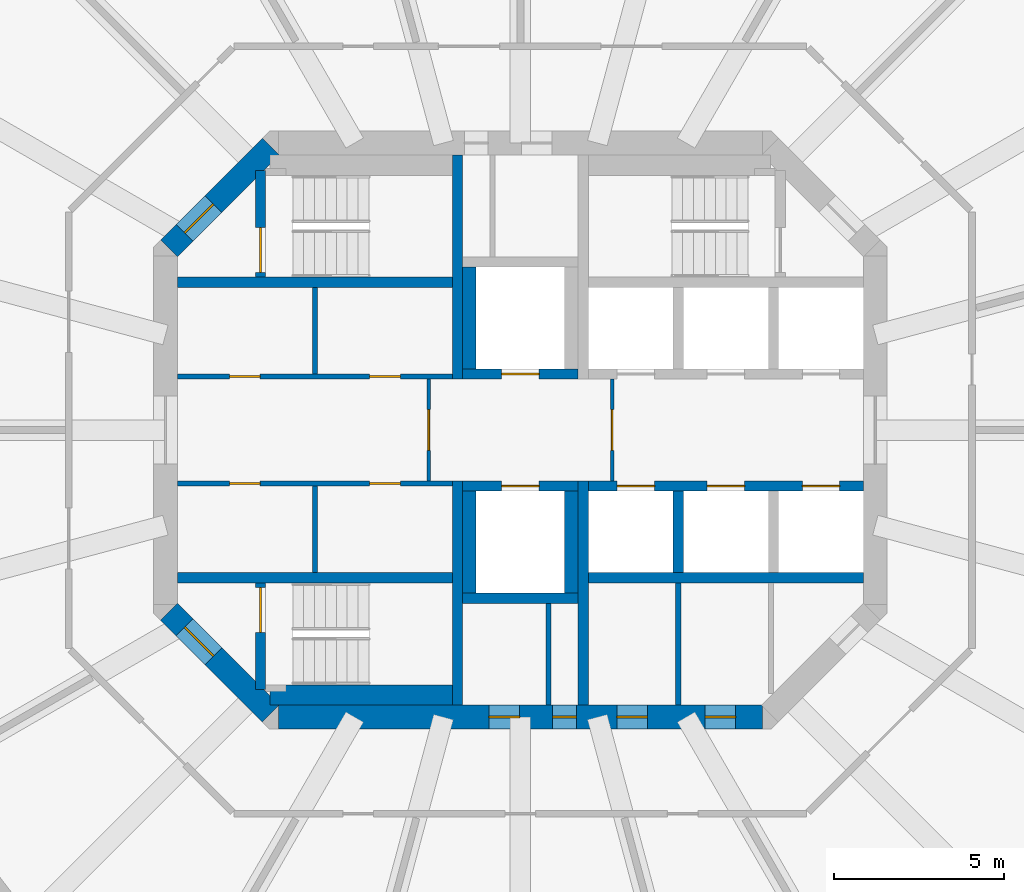
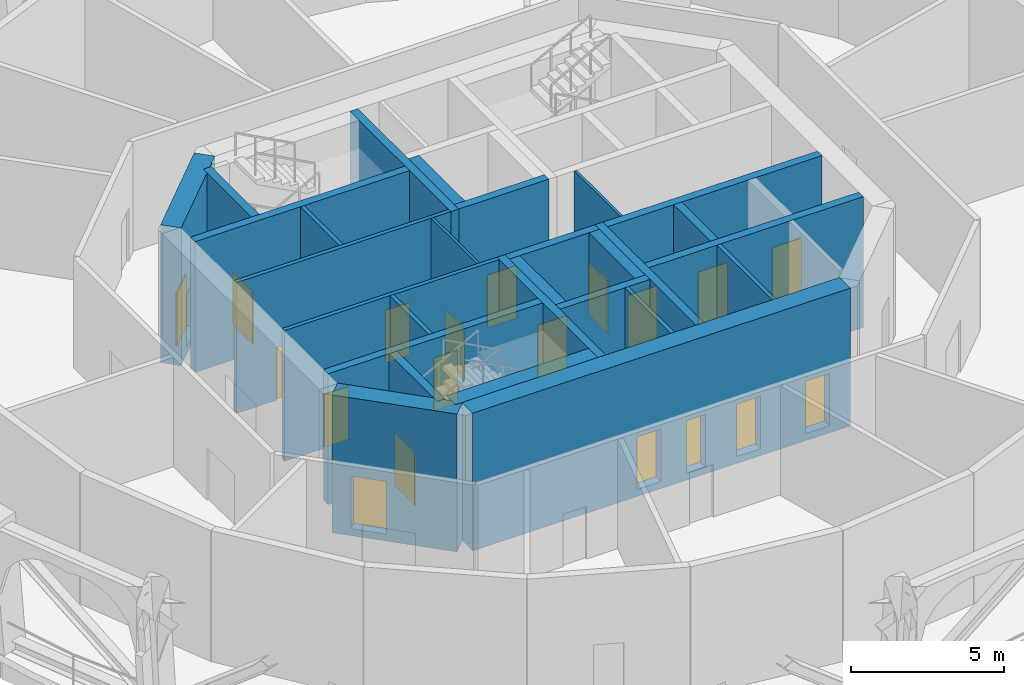
# One storey, part 4 of 9: 28 walls, 19 doors, 19 openings.
"""IFC4 building model written with IfcOpenShell, lengths in metres."""

from ifc_helpers import new_model, si_unit, direction, frame, frame_2d, origin, place, context, subcontext, project, spatial, rectangle, extrude, material, layer, layer_set, type_object, element, fill, save


model = new_model("IFC4")

# Units and contexts
model_context = context("Model", 3, precision=1e-05, world=origin(), true_north=direction((0.0, 1.0)))
body_context = subcontext(model_context, "Body", "Model", "MODEL_VIEW")
ifc_project = project(units=[si_unit("LENGTHUNIT", "METRE"), si_unit("AREAUNIT", "SQUARE_METRE"), si_unit("VOLUMEUNIT", "CUBIC_METRE"), si_unit("PLANEANGLEUNIT", "RADIAN"), si_unit("MASSUNIT", "GRAM", prefix="KILO")], contexts=[model_context])

# Site, building, storey
site_placement = place(None, origin())
site = spatial("IfcSite", under=ifc_project, at=site_placement, CompositionType="ELEMENT")
building_placement = place(site_placement, origin())
building = spatial("IfcBuilding", under=site, at=building_placement, Name="Torre Triforio", CompositionType="ELEMENT")
storey_placement = place(building_placement, frame((0.0, 0.0, 248.300048828125)))
storey = spatial("IfcBuildingStorey", under=building, at=storey_placement, Name="L57", CompositionType="ELEMENT", Elevation=248.300048828125)

# Walls
ifc_material_1 = material(Name="Concrete C50", Category="concrete")
ifc_layer_1 = layer(ifc_material_1, 0.300048828125)
ifc_layer_set_1 = layer_set([ifc_layer_1], Name="Concrete C50")
wall_type_1 = type_object("IfcWallType", Name="Core wall 300 mm C50 EI 120", PredefinedType="SHEAR", material=ifc_layer_set_1)
for number, where, z_axis, x_axis, name in (
    (1, (-1.85009765625, 1.5, 0.0), (0.0, 0.0, 1.0), (0.0, 1.0, 0.0), "Core wall"),
    (2, (-1.85009765625, -8.10009765625, 0.0), (0.0, 0.0, 1.0), (0.0, 1.0, 0.0), "Core wall"),
    (3, (1.85009765625, -8.10009765625, 0.0), (0.0, 0.0, 1.0), (0.0, 1.0, 0.0), "Core wall"),
):
    element("IfcWall", number, at=place(storey_placement, frame(where, z_axis=z_axis, x_axis=x_axis)), inside=storey, type_object=wall_type_1, Name=name, PredefinedType="SHEAR", context=body_context, shape_type="SweptSolid", body=[
        extrude(rectangle(XDim=6.60009765625, YDim=0.300048828125, at=frame_2d((3.300048828125, 0.0))), origin(), (0.0, 0.0, 1.0), 5.219970703125),
    ])

# Wall, openings, doors
ifc_layer_2 = layer(ifc_material_1, 0.699951171875)
ifc_layer_set_2 = layer_set([ifc_layer_2], Name="Concrete C50")
wall_type_2 = type_object("IfcWallType", Name="Core wall 700 mm C50 EI 120", PredefinedType="SHEAR", material=ifc_layer_set_2)
wall_1_placement = place(storey_placement, frame((-7.1298828125, -8.449951171875, -0.280029296875), z_axis=(0.0, 0.0, 1.0), x_axis=(1.0, 0.0, 0.0)))
wall_1 = element("IfcWall", 4, at=wall_1_placement, inside=storey, type_object=wall_type_2, Name="Core wall", PredefinedType="SHEAR", context=body_context, shape_type="SweptSolid", body=[
    extrude(rectangle(XDim=14.259765625, YDim=0.699951171875, at=frame_2d((7.1298828125, 0.0))), origin(), (0.0, 0.0, 1.0), 5.5),
])
opening_1_placement = place(wall_1_placement, frame((8.080078125, 0.0, 0.280029296875)))
opening_1 = element("IfcOpeningElement", 5, at=opening_1_placement, cuts=wall_1, Name="Opening RISER-S", PredefinedType="OPENING", context=body_context, shape_type="SweptSolid", body=[
    extrude(rectangle(XDim=0.699951171875, YDim=2.10009765625, at=frame_2d((0.35009765625, 1.050048828125))), frame((0.0, 0.35986328125, 0.0), z_axis=(0.0, -1.0, 0.0), x_axis=(1.0, 0.0, 0.0)), (0.0, 0.0, 1.0), 0.719970703125),
])
opening_2_placement = place(wall_1_placement, frame((6.205078125, 0.0, 0.280029296875)))
opening_2 = element("IfcOpeningElement", 6, at=opening_2_placement, cuts=wall_1, Name="Opening SW-01", PredefinedType="OPENING", context=body_context, shape_type="SweptSolid", body=[
    extrude(rectangle(XDim=0.89990234375, YDim=2.10009765625, at=frame_2d((0.449951171875, 1.050048828125))), frame((0.0, 0.35986328125, 0.0), z_axis=(0.0, -1.0, 0.0), x_axis=(1.0, 0.0, 0.0)), (0.0, 0.0, 1.0), 0.719970703125),
])
opening_3_placement = place(wall_1_placement, frame((9.967041015625, 0.0, 0.280029296875)))
opening_3 = element("IfcOpeningElement", 7, at=opening_3_placement, cuts=wall_1, Name="Opening SE-01", PredefinedType="OPENING", context=body_context, shape_type="SweptSolid", body=[
    extrude(rectangle(XDim=0.89990234375, YDim=2.10009765625, at=frame_2d((0.449951171875, 1.050048828125))), frame((0.0, 0.35986328125, 0.0), z_axis=(0.0, -1.0, 0.0), x_axis=(1.0, 0.0, 0.0)), (0.0, 0.0, 1.0), 0.719970703125),
])
opening_4_placement = place(wall_1_placement, frame((12.56689453125, 0.0, 0.280029296875)))
opening_4 = element("IfcOpeningElement", 8, at=opening_4_placement, cuts=wall_1, Name="Opening SE-02A", PredefinedType="OPENING", context=body_context, shape_type="SweptSolid", body=[
    extrude(rectangle(XDim=0.89990234375, YDim=2.10009765625, at=frame_2d((0.449951171875, 1.050048828125))), frame((0.0, 0.35986328125, 0.0), z_axis=(0.0, -1.0, 0.0), x_axis=(1.0, 0.0, 0.0)), (0.0, 0.0, 1.0), 0.719970703125),
])
ifc_material_2 = material(Name="Hollow metal fire door leaf")
door_type_1 = type_object("IfcDoorType", Name="Plant room door 900 x 2100 EI 60", OperationType="NOTDEFINED", PredefinedType="DOOR", material=ifc_material_2)
door_1_placement = place(opening_2_placement, origin())
door_1 = element("IfcDoor", 9, at=door_1_placement, inside=storey, type_object=door_type_1, Name="Core door SW-01", OperationType="SINGLE_SWING_LEFT", OverallHeight=2.10009765625, OverallWidth=0.89990234375, PredefinedType="DOOR", context=body_context, shape_type="SweptSolid", body=[
    extrude(rectangle(XDim=0.89990234375, YDim=2.10009765625, at=frame_2d((0.449951171875, 1.050048828125))), frame((0.0, 0.02490234375, 0.0), z_axis=(0.0, -1.0, 0.0), x_axis=(1.0, 0.0, 0.0)), (0.0, 0.0, 1.0), 0.050048828125),
])
fill(opening_2, door_1)
door_2_placement = place(opening_3_placement, origin())
door_2 = element("IfcDoor", 10, at=door_2_placement, inside=storey, type_object=door_type_1, Name="Core door SE-01", OperationType="SINGLE_SWING_LEFT", OverallHeight=2.10009765625, OverallWidth=0.89990234375, PredefinedType="DOOR", context=body_context, shape_type="SweptSolid", body=[
    extrude(rectangle(XDim=0.89990234375, YDim=2.10009765625, at=frame_2d((0.449951171875, 1.050048828125))), frame((0.0, 0.02490234375, 0.0), z_axis=(0.0, -1.0, 0.0), x_axis=(1.0, 0.0, 0.0)), (0.0, 0.0, 1.0), 0.050048828125),
])
fill(opening_3, door_2)
door_3_placement = place(opening_4_placement, origin())
door_3 = element("IfcDoor", 11, at=door_3_placement, inside=storey, type_object=door_type_1, Name="Core door SE-02", OperationType="SINGLE_SWING_LEFT", OverallHeight=2.10009765625, OverallWidth=0.89990234375, PredefinedType="DOOR", context=body_context, shape_type="SweptSolid", body=[
    extrude(rectangle(XDim=0.89990234375, YDim=2.10009765625, at=frame_2d((0.449951171875, 1.050048828125))), frame((0.0, 0.02490234375, 0.0), z_axis=(0.0, -1.0, 0.0), x_axis=(1.0, 0.0, 0.0)), (0.0, 0.0, 1.0), 0.050048828125),
])
fill(opening_4, door_3)
door_type_2 = type_object("IfcDoorType", Name="Riser door 700 x 2100 EI 60", OperationType="NOTDEFINED", PredefinedType="DOOR", material=ifc_material_2)
door_4_placement = place(opening_1_placement, origin())
door_4 = element("IfcDoor", 12, at=door_4_placement, inside=storey, type_object=door_type_2, Name="Core door RISER-S", OperationType="SINGLE_SWING_RIGHT", OverallHeight=2.10009765625, OverallWidth=0.699951171875, PredefinedType="DOOR", context=body_context, shape_type="SweptSolid", body=[
    extrude(rectangle(XDim=0.699951171875, YDim=2.10009765625, at=frame_2d((0.35009765625, 1.050048828125))), frame((0.0, 0.02490234375, 0.0), z_axis=(0.0, -1.0, 0.0), x_axis=(1.0, 0.0, 0.0)), (0.0, 0.0, 1.0), 0.050048828125),
])
fill(opening_1, door_4)

# Wall, opening, door
wall_2_placement = place(storey_placement, frame((-10.347412109375, 5.347412109375, -0.280029296875), z_axis=(0.0, 0.0, 1.0), x_axis=(0.707106781187, 0.707106781187, 0.0)))
wall_2 = element("IfcWall", 13, at=wall_2_placement, inside=storey, type_object=wall_type_2, Name="Core wall", PredefinedType="SHEAR", context=body_context, shape_type="SweptSolid", body=[
    extrude(rectangle(XDim=4.24267578125, YDim=0.699951171875, at=frame_2d((2.121337890625, 0.0))), origin(), (0.0, 0.0, 1.0), 5.5),
])
opening_5_placement = place(wall_2_placement, frame((0.64990234375, 0.0, 0.280029296875)))
opening_5 = element("IfcOpeningElement", 14, at=opening_5_placement, cuts=wall_2, Name="Opening ST1-EXIT", PredefinedType="OPENING", context=body_context, shape_type="SweptSolid", body=[
    extrude(rectangle(XDim=1.199951171875, YDim=2.10009765625, at=frame_2d((0.60009765625, 1.050048828125))), frame((0.0, 0.35986328125, 0.0), z_axis=(0.0, -1.0, 0.0), x_axis=(1.0, 0.0, 0.0)), (0.0, 0.0, 1.0), 0.719970703125),
])
door_type_3 = type_object("IfcDoorType", Name="Stair lobby door 1200 x 2100 EI 60", OperationType="NOTDEFINED", PredefinedType="DOOR", material=ifc_material_2)
door_5_placement = place(opening_5_placement, origin())
door_5 = element("IfcDoor", 15, at=door_5_placement, inside=storey, type_object=door_type_3, Name="Core door ST1-EXIT", OperationType="SINGLE_SWING_RIGHT", OverallHeight=2.10009765625, OverallWidth=1.199951171875, PredefinedType="DOOR", context=body_context, shape_type="SweptSolid", body=[
    extrude(rectangle(XDim=1.199951171875, YDim=2.10009765625, at=frame_2d((0.60009765625, 1.050048828125))), frame((0.0, 0.02490234375, 0.0), z_axis=(0.0, -1.0, 0.0), x_axis=(1.0, 0.0, 0.0)), (0.0, 0.0, 1.0), 0.050048828125),
])
fill(opening_5, door_5)

wall_3_placement = place(storey_placement, frame((-7.347412109375, -8.347412109375, -0.280029296875), z_axis=(0.0, 0.0, 1.0), x_axis=(-0.707106781187, 0.707106781187, 0.0)))
wall_3 = element("IfcWall", 16, at=wall_3_placement, inside=storey, type_object=wall_type_2, Name="Core wall", PredefinedType="SHEAR", context=body_context, shape_type="SweptSolid", body=[
    extrude(rectangle(XDim=4.24267578125, YDim=0.699951171875, at=frame_2d((2.121337890625, 0.0))), origin(), (0.0, 0.0, 1.0), 5.5),
])
opening_6_placement = place(wall_3_placement, frame((2.392578125, 0.0, 0.280029296875)))
opening_6 = element("IfcOpeningElement", 17, at=opening_6_placement, cuts=wall_3, Name="Opening ST3-EXIT", PredefinedType="OPENING", context=body_context, shape_type="SweptSolid", body=[
    extrude(rectangle(XDim=1.199951171875, YDim=2.10009765625, at=frame_2d((0.60009765625, 1.050048828125))), frame((0.0, 0.35986328125, 0.0), z_axis=(0.0, -1.0, 0.0), x_axis=(1.0, 0.0, 0.0)), (0.0, 0.0, 1.0), 0.719970703125),
])
door_6_placement = place(opening_6_placement, origin())
door_6 = element("IfcDoor", 18, at=door_6_placement, inside=storey, type_object=door_type_3, Name="Core door ST3-EXIT", OperationType="SINGLE_SWING_RIGHT", OverallHeight=2.10009765625, OverallWidth=1.199951171875, PredefinedType="DOOR", context=body_context, shape_type="SweptSolid", body=[
    extrude(rectangle(XDim=1.199951171875, YDim=2.10009765625, at=frame_2d((0.60009765625, 1.050048828125))), frame((0.0, 0.02490234375, 0.0), z_axis=(0.0, -1.0, 0.0), x_axis=(1.0, 0.0, 0.0)), (0.0, 0.0, 1.0), 0.050048828125),
])
fill(opening_6, door_6)

ifc_material_3 = material(Name="Block and board partition")
ifc_layer_3 = layer(ifc_material_3, 0.10009765625)
ifc_layer_set_3 = layer_set([ifc_layer_3], Name="Block and board partition")
wall_type_3 = type_object("IfcWallType", Name="Partition 100 mm EI 120", PredefinedType="PARTITIONING", material=ifc_layer_set_3)
wall_4_placement = place(storey_placement, frame((-2.699951171875, -1.5, 0.0), z_axis=(0.0, 0.0, 1.0), x_axis=(0.0, 1.0, 0.0)))
wall_4 = element("IfcWall", 19, at=wall_4_placement, inside=storey, type_object=wall_type_3, Name="Partition", PredefinedType="PARTITIONING", context=body_context, shape_type="SweptSolid", body=[
    extrude(rectangle(XDim=3.0, YDim=0.10009765625, at=frame_2d((1.5, 0.0))), origin(), (0.0, 0.0, 1.0), 5.219970703125),
])
opening_7_placement = place(wall_4_placement, frame((0.89990234375, 0.0, 0.0)))
opening_7 = element("IfcOpeningElement", 20, at=opening_7_placement, cuts=wall_4, Name="Opening FF-W", PredefinedType="OPENING", context=body_context, shape_type="SweptSolid", body=[
    extrude(rectangle(XDim=1.199951171875, YDim=2.10009765625, at=frame_2d((0.60009765625, 1.050048828125))), frame((0.0, 0.06005859375, 0.0), z_axis=(0.0, -1.0, 0.0), x_axis=(1.0, 0.0, 0.0)), (0.0, 0.0, 1.0), 0.1201171875),
])
door_type_4 = type_object("IfcDoorType", Name="Fire-fighting lobby door 1200 x 2100 EI 60", OperationType="NOTDEFINED", PredefinedType="DOOR", material=ifc_material_2)
door_7_placement = place(opening_7_placement, origin())
door_7 = element("IfcDoor", 21, at=door_7_placement, inside=storey, type_object=door_type_4, Name="Core door FF-W", OperationType="SINGLE_SWING_LEFT", OverallHeight=2.10009765625, OverallWidth=1.199951171875, PredefinedType="DOOR", context=body_context, shape_type="SweptSolid", body=[
    extrude(rectangle(XDim=1.199951171875, YDim=2.10009765625, at=frame_2d((0.60009765625, 1.050048828125))), frame((0.0, 0.02490234375, 0.0), z_axis=(0.0, -1.0, 0.0), x_axis=(1.0, 0.0, 0.0)), (0.0, 0.0, 1.0), 0.050048828125),
])
fill(opening_7, door_7)

wall_5_placement = place(storey_placement, frame((2.699951171875, -1.5, 0.0), z_axis=(0.0, 0.0, 1.0), x_axis=(0.0, 1.0, 0.0)))
wall_5 = element("IfcWall", 22, at=wall_5_placement, inside=storey, type_object=wall_type_3, Name="Partition", PredefinedType="PARTITIONING", context=body_context, shape_type="SweptSolid", body=[
    extrude(rectangle(XDim=3.0, YDim=0.10009765625, at=frame_2d((1.5, 0.0))), origin(), (0.0, 0.0, 1.0), 5.219970703125),
])
opening_8_placement = place(wall_5_placement, frame((0.89990234375, 0.0, 0.0)))
opening_8 = element("IfcOpeningElement", 23, at=opening_8_placement, cuts=wall_5, Name="Opening FF-E", PredefinedType="OPENING", context=body_context, shape_type="SweptSolid", body=[
    extrude(rectangle(XDim=1.199951171875, YDim=2.10009765625, at=frame_2d((0.60009765625, 1.050048828125))), frame((0.0, 0.06005859375, 0.0), z_axis=(0.0, -1.0, 0.0), x_axis=(1.0, 0.0, 0.0)), (0.0, 0.0, 1.0), 0.1201171875),
])
door_8_placement = place(opening_8_placement, origin())
door_8 = element("IfcDoor", 24, at=door_8_placement, inside=storey, type_object=door_type_4, Name="Core door FF-E", OperationType="SINGLE_SWING_LEFT", OverallHeight=2.10009765625, OverallWidth=1.199951171875, PredefinedType="DOOR", context=body_context, shape_type="SweptSolid", body=[
    extrude(rectangle(XDim=1.199951171875, YDim=2.10009765625, at=frame_2d((0.60009765625, 1.050048828125))), frame((0.0, 0.02490234375, 0.0), z_axis=(0.0, -1.0, 0.0), x_axis=(1.0, 0.0, 0.0)), (0.0, 0.0, 1.0), 0.050048828125),
])
fill(opening_8, door_8)

# Walls
ifc_layer_4 = layer(ifc_material_3, 0.14990234375)
ifc_layer_set_4 = layer_set([ifc_layer_4], Name="Block and board partition")
wall_type_4 = type_object("IfcWallType", Name="Partition 150 mm", PredefinedType="PARTITIONING", material=ifc_layer_set_4)
wall_6_placement = place(storey_placement, frame((4.64892578125, -8.10009765625, 0.0), z_axis=(0.0, 0.0, 1.0), x_axis=(0.0, 1.0, 0.0)))
element("IfcWall", 25, at=wall_6_placement, inside=storey, type_object=wall_type_4, Name="Partition", PredefinedType="PARTITIONING", context=body_context, shape_type="SweptSolid", body=[
    extrude(rectangle(XDim=3.60009765625, YDim=0.14990234375, at=frame_2d((1.800048828125, 0.0))), origin(), (0.0, 0.0, 1.0), 5.219970703125),
])
for number, where, z_axis, x_axis, name in (
    (26, (-6.050048828125, 1.64990234375, 0.0), (0.0, 0.0, 1.0), (0.0, 1.0, 0.0), "Partition"),
    (27, (-6.050048828125, -4.199951171875, 0.0), (0.0, 0.0, 1.0), (0.0, 1.0, 0.0), "Partition"),
):
    element("IfcWall", number, at=place(storey_placement, frame(where, z_axis=z_axis, x_axis=x_axis)), inside=storey, type_object=wall_type_4, Name=name, PredefinedType="PARTITIONING", context=body_context, shape_type="SweptSolid", body=[
        extrude(rectangle(XDim=2.550048828125, YDim=0.14990234375, at=frame_2d((1.27490234375, 0.0))), origin(), (0.0, 0.0, 1.0), 5.219970703125),
    ])
ifc_layer_5 = layer(ifc_material_3, 0.14990234375)
ifc_layer_set_5 = layer_set([ifc_layer_5], Name="Block and board partition")
wall_type_5 = type_object("IfcWallType", Name="Partition 150 mm EI 120", PredefinedType="PARTITIONING", material=ifc_layer_set_5)
wall_7_placement = place(storey_placement, frame((0.824951171875, -8.10009765625, 0.0), z_axis=(0.0, 0.0, 1.0), x_axis=(0.0, 1.0, 0.0)))
element("IfcWall", 28, at=wall_7_placement, inside=storey, type_object=wall_type_5, Name="Partition", PredefinedType="PARTITIONING", context=body_context, shape_type="SweptSolid", body=[
    extrude(rectangle(XDim=3.0, YDim=0.14990234375, at=frame_2d((1.5, 0.0))), origin(), (0.0, 0.0, 1.0), 5.219970703125),
])

# Wall, openings, doors
wall_8_placement = place(storey_placement, frame((-10.10009765625, 1.574951171875, 0.0), z_axis=(0.0, 0.0, 1.0), x_axis=(1.0, 0.0, 0.0)))
wall_8 = element("IfcWall", 29, at=wall_8_placement, inside=storey, type_object=wall_type_5, Name="Partition", PredefinedType="PARTITIONING", context=body_context, shape_type="SweptSolid", body=[
    extrude(rectangle(XDim=8.10009765625, YDim=0.14990234375, at=frame_2d((4.050048828125, 0.0))), origin(), (0.0, 0.0, 1.0), 5.219970703125),
])
opening_9_placement = place(wall_8_placement, frame((1.53759765625, 0.0, 0.0)))
opening_9 = element("IfcOpeningElement", 30, at=opening_9_placement, cuts=wall_8, Name="Opening FN-01A", PredefinedType="OPENING", context=body_context, shape_type="SweptSolid", body=[
    extrude(rectangle(XDim=0.89990234375, YDim=2.10009765625, at=frame_2d((0.449951171875, 1.050048828125))), frame((0.0, 0.0849609375, 0.0), z_axis=(0.0, -1.0, 0.0), x_axis=(1.0, 0.0, 0.0)), (0.0, 0.0, 1.0), 0.169921875),
])
opening_10_placement = place(wall_8_placement, frame((5.66259765625, 0.0, 0.0)))
opening_10 = element("IfcOpeningElement", 31, at=opening_10_placement, cuts=wall_8, Name="Opening FN-02A", PredefinedType="OPENING", context=body_context, shape_type="SweptSolid", body=[
    extrude(rectangle(XDim=0.89990234375, YDim=2.10009765625, at=frame_2d((0.449951171875, 1.050048828125))), frame((0.0, 0.0849609375, 0.0), z_axis=(0.0, -1.0, 0.0), x_axis=(1.0, 0.0, 0.0)), (0.0, 0.0, 1.0), 0.169921875),
])
door_9_placement = place(opening_9_placement, origin())
door_9 = element("IfcDoor", 32, at=door_9_placement, inside=storey, type_object=door_type_1, Name="Core door FN-01", OperationType="SINGLE_SWING_RIGHT", OverallHeight=2.10009765625, OverallWidth=0.89990234375, PredefinedType="DOOR", context=body_context, shape_type="SweptSolid", body=[
    extrude(rectangle(XDim=0.89990234375, YDim=2.10009765625, at=frame_2d((0.449951171875, 1.050048828125))), frame((0.0, 0.02490234375, 0.0), z_axis=(0.0, -1.0, 0.0), x_axis=(1.0, 0.0, 0.0)), (0.0, 0.0, 1.0), 0.050048828125),
])
fill(opening_9, door_9)
door_10_placement = place(opening_10_placement, origin())
door_10 = element("IfcDoor", 33, at=door_10_placement, inside=storey, type_object=door_type_1, Name="Core door FN-02", OperationType="SINGLE_SWING_RIGHT", OverallHeight=2.10009765625, OverallWidth=0.89990234375, PredefinedType="DOOR", context=body_context, shape_type="SweptSolid", body=[
    extrude(rectangle(XDim=0.89990234375, YDim=2.10009765625, at=frame_2d((0.449951171875, 1.050048828125))), frame((0.0, 0.02490234375, 0.0), z_axis=(0.0, -1.0, 0.0), x_axis=(1.0, 0.0, 0.0)), (0.0, 0.0, 1.0), 0.050048828125),
])
fill(opening_10, door_10)

wall_9_placement = place(storey_placement, frame((-10.10009765625, -1.574951171875, 0.0), z_axis=(0.0, 0.0, 1.0), x_axis=(1.0, 0.0, 0.0)))
wall_9 = element("IfcWall", 34, at=wall_9_placement, inside=storey, type_object=wall_type_5, Name="Partition", PredefinedType="PARTITIONING", context=body_context, shape_type="SweptSolid", body=[
    extrude(rectangle(XDim=8.10009765625, YDim=0.14990234375, at=frame_2d((4.050048828125, 0.0))), origin(), (0.0, 0.0, 1.0), 5.219970703125),
])
opening_11_placement = place(wall_9_placement, frame((1.53759765625, 0.0, 0.0)))
opening_11 = element("IfcOpeningElement", 35, at=opening_11_placement, cuts=wall_9, Name="Opening FS-01A", PredefinedType="OPENING", context=body_context, shape_type="SweptSolid", body=[
    extrude(rectangle(XDim=0.89990234375, YDim=2.10009765625, at=frame_2d((0.449951171875, 1.050048828125))), frame((0.0, 0.0849609375, 0.0), z_axis=(0.0, -1.0, 0.0), x_axis=(1.0, 0.0, 0.0)), (0.0, 0.0, 1.0), 0.169921875),
])
opening_12_placement = place(wall_9_placement, frame((5.66259765625, 0.0, 0.0)))
opening_12 = element("IfcOpeningElement", 36, at=opening_12_placement, cuts=wall_9, Name="Opening FS-02A", PredefinedType="OPENING", context=body_context, shape_type="SweptSolid", body=[
    extrude(rectangle(XDim=0.89990234375, YDim=2.10009765625, at=frame_2d((0.449951171875, 1.050048828125))), frame((0.0, 0.0849609375, 0.0), z_axis=(0.0, -1.0, 0.0), x_axis=(1.0, 0.0, 0.0)), (0.0, 0.0, 1.0), 0.169921875),
])
door_11_placement = place(opening_11_placement, origin())
door_11 = element("IfcDoor", 37, at=door_11_placement, inside=storey, type_object=door_type_1, Name="Core door FS-01", OperationType="SINGLE_SWING_LEFT", OverallHeight=2.10009765625, OverallWidth=0.89990234375, PredefinedType="DOOR", context=body_context, shape_type="SweptSolid", body=[
    extrude(rectangle(XDim=0.89990234375, YDim=2.10009765625, at=frame_2d((0.449951171875, 1.050048828125))), frame((0.0, 0.02490234375, 0.0), z_axis=(0.0, -1.0, 0.0), x_axis=(1.0, 0.0, 0.0)), (0.0, 0.0, 1.0), 0.050048828125),
])
fill(opening_11, door_11)
door_12_placement = place(opening_12_placement, origin())
door_12 = element("IfcDoor", 38, at=door_12_placement, inside=storey, type_object=door_type_1, Name="Core door FS-02", OperationType="SINGLE_SWING_LEFT", OverallHeight=2.10009765625, OverallWidth=0.89990234375, PredefinedType="DOOR", context=body_context, shape_type="SweptSolid", body=[
    extrude(rectangle(XDim=0.89990234375, YDim=2.10009765625, at=frame_2d((0.449951171875, 1.050048828125))), frame((0.0, 0.02490234375, 0.0), z_axis=(0.0, -1.0, 0.0), x_axis=(1.0, 0.0, 0.0)), (0.0, 0.0, 1.0), 0.050048828125),
])
fill(opening_12, door_12)

# Walls
ifc_layer_6 = layer(ifc_material_1, 0.300048828125)
ifc_layer_set_6 = layer_set([ifc_layer_6], Name="Concrete C50")
wall_type_6 = type_object("IfcWallType", Name="Shaft wall 300 mm C50 EI 120", PredefinedType="SOLIDWALL", material=ifc_layer_set_6)
for number, where, z_axis, x_axis, name in (
    (39, (-10.10009765625, 4.35009765625, 0.0), (0.0, 0.0, 1.0), (1.0, 0.0, 0.0), "Shaft wall"),
    (40, (-10.10009765625, -4.35009765625, 0.0), (0.0, 0.0, 1.0), (1.0, 0.0, 0.0), "Shaft wall"),
    (41, (2.0, -4.35009765625, 0.0), (0.0, 0.0, 1.0), (1.0, 0.0, 0.0), "Shaft wall"),
):
    element("IfcWall", number, at=place(storey_placement, frame(where, z_axis=z_axis, x_axis=x_axis)), inside=storey, type_object=wall_type_6, Name=name, PredefinedType="SOLIDWALL", context=body_context, shape_type="SweptSolid", body=[
        extrude(rectangle(XDim=8.10009765625, YDim=0.300048828125, at=frame_2d((4.050048828125, 0.0))), origin(), (0.0, 0.0, 1.0), 5.219970703125),
    ])

# Wall, openings, doors
wall_10_placement = place(storey_placement, frame((2.0, -1.64990234375, 0.0), z_axis=(0.0, 0.0, 1.0), x_axis=(1.0, 0.0, 0.0)))
wall_10 = element("IfcWall", 42, at=wall_10_placement, inside=storey, type_object=wall_type_6, Name="Shaft wall", PredefinedType="SOLIDWALL", context=body_context, shape_type="SweptSolid", body=[
    extrude(rectangle(XDim=8.10009765625, YDim=0.300048828125, at=frame_2d((4.050048828125, 0.0))), origin(), (0.0, 0.0, 1.0), 5.219970703125),
])
opening_13_placement = place(wall_10_placement, frame((0.85009765625, 0.0, 0.0)))
opening_13 = element("IfcOpeningElement", 43, at=opening_13_placement, cuts=wall_10, Name="Opening LD", PredefinedType="OPENING", context=body_context, shape_type="SweptSolid", body=[
    extrude(rectangle(XDim=1.10009765625, YDim=2.10009765625, at=frame_2d((0.550048828125, 1.050048828125))), frame((0.0, 0.159912109375, 0.0), z_axis=(0.0, -1.0, 0.0), x_axis=(1.0, 0.0, 0.0)), (0.0, 0.0, 1.0), 0.320068359375),
])
opening_14_placement = place(wall_10_placement, frame((3.5, 0.0, 0.0)))
opening_14 = element("IfcOpeningElement", 44, at=opening_14_placement, cuts=wall_10, Name="Opening LD", PredefinedType="OPENING", context=body_context, shape_type="SweptSolid", body=[
    extrude(rectangle(XDim=1.10009765625, YDim=2.10009765625, at=frame_2d((0.550048828125, 1.050048828125))), frame((0.0, 0.159912109375, 0.0), z_axis=(0.0, -1.0, 0.0), x_axis=(1.0, 0.0, 0.0)), (0.0, 0.0, 1.0), 0.320068359375),
])
opening_15_placement = place(wall_10_placement, frame((6.300048828125, 0.0, 0.0)))
opening_15 = element("IfcOpeningElement", 45, at=opening_15_placement, cuts=wall_10, Name="Opening LD", PredefinedType="OPENING", context=body_context, shape_type="SweptSolid", body=[
    extrude(rectangle(XDim=1.10009765625, YDim=2.10009765625, at=frame_2d((0.550048828125, 1.050048828125))), frame((0.0, 0.159912109375, 0.0), z_axis=(0.0, -1.0, 0.0), x_axis=(1.0, 0.0, 0.0)), (0.0, 0.0, 1.0), 0.320068359375),
])
door_type_5 = type_object("IfcDoorType", Name="Landing door 1100 x 2100 EI 60", OperationType="DOUBLE_DOOR_SLIDING", PredefinedType="DOOR", material=ifc_material_2)
door_13_placement = place(opening_13_placement, origin())
door_13 = element("IfcDoor", 46, at=door_13_placement, inside=storey, type_object=door_type_5, Name="Landing door HR4", OperationType="DOUBLE_DOOR_SLIDING", OverallHeight=2.10009765625, OverallWidth=1.10009765625, PredefinedType="DOOR", context=body_context, shape_type="SweptSolid", body=[
    extrude(rectangle(XDim=1.10009765625, YDim=2.10009765625, at=frame_2d((0.550048828125, 1.050048828125))), frame((0.0, 0.02490234375, 0.0), z_axis=(0.0, -1.0, 0.0), x_axis=(1.0, 0.0, 0.0)), (0.0, 0.0, 1.0), 0.050048828125),
])
fill(opening_13, door_13)
door_14_placement = place(opening_14_placement, origin())
door_14 = element("IfcDoor", 47, at=door_14_placement, inside=storey, type_object=door_type_5, Name="Landing door HR5", OperationType="DOUBLE_DOOR_SLIDING", OverallHeight=2.10009765625, OverallWidth=1.10009765625, PredefinedType="DOOR", context=body_context, shape_type="SweptSolid", body=[
    extrude(rectangle(XDim=1.10009765625, YDim=2.10009765625, at=frame_2d((0.550048828125, 1.050048828125))), frame((0.0, 0.02490234375, 0.0), z_axis=(0.0, -1.0, 0.0), x_axis=(1.0, 0.0, 0.0)), (0.0, 0.0, 1.0), 0.050048828125),
])
fill(opening_14, door_14)
door_15_placement = place(opening_15_placement, origin())
door_15 = element("IfcDoor", 48, at=door_15_placement, inside=storey, type_object=door_type_5, Name="Landing door HR6", OperationType="DOUBLE_DOOR_SLIDING", OverallHeight=2.10009765625, OverallWidth=1.10009765625, PredefinedType="DOOR", context=body_context, shape_type="SweptSolid", body=[
    extrude(rectangle(XDim=1.10009765625, YDim=2.10009765625, at=frame_2d((0.550048828125, 1.050048828125))), frame((0.0, 0.02490234375, 0.0), z_axis=(0.0, -1.0, 0.0), x_axis=(1.0, 0.0, 0.0)), (0.0, 0.0, 1.0), 0.050048828125),
])
fill(opening_15, door_15)

# Wall
wall_11_placement = place(storey_placement, frame((4.64990234375, -4.199951171875, 0.0), z_axis=(0.0, 0.0, 1.0), x_axis=(0.0, 1.0, 0.0)))
element("IfcWall", 49, at=wall_11_placement, inside=storey, type_object=wall_type_6, Name="Shaft wall", PredefinedType="SOLIDWALL", context=body_context, shape_type="SweptSolid", body=[
    extrude(rectangle(XDim=2.39990234375, YDim=0.300048828125, at=frame_2d((1.199951171875, 0.0))), origin(), (0.0, 0.0, 1.0), 5.219970703125),
])

# Wall, opening, door
wall_12_placement = place(storey_placement, frame((-1.699951171875, 1.64990234375, 0.0), z_axis=(0.0, 0.0, 1.0), x_axis=(1.0, 0.0, 0.0)))
wall_12 = element("IfcWall", 50, at=wall_12_placement, inside=storey, type_object=wall_type_6, Name="Shaft wall", PredefinedType="SOLIDWALL", context=body_context, shape_type="SweptSolid", body=[
    extrude(rectangle(XDim=3.39990234375, YDim=0.300048828125, at=frame_2d((1.699951171875, 0.0))), origin(), (0.0, 0.0, 1.0), 5.219970703125),
])
opening_16_placement = place(wall_12_placement, frame((1.14990234375, 0.0, 0.0)))
opening_16 = element("IfcOpeningElement", 51, at=opening_16_placement, cuts=wall_12, Name="Opening LD", PredefinedType="OPENING", context=body_context, shape_type="SweptSolid", body=[
    extrude(rectangle(XDim=1.10009765625, YDim=2.10009765625, at=frame_2d((0.550048828125, 1.050048828125))), frame((0.0, 0.159912109375, 0.0), z_axis=(0.0, -1.0, 0.0), x_axis=(1.0, 0.0, 0.0)), (0.0, 0.0, 1.0), 0.320068359375),
])
door_16_placement = place(opening_16_placement, origin())
door_16 = element("IfcDoor", 52, at=door_16_placement, inside=storey, type_object=door_type_5, Name="Landing door FFL1", OperationType="DOUBLE_DOOR_SLIDING", OverallHeight=2.10009765625, OverallWidth=1.10009765625, PredefinedType="DOOR", context=body_context, shape_type="SweptSolid", body=[
    extrude(rectangle(XDim=1.10009765625, YDim=2.10009765625, at=frame_2d((0.550048828125, 1.050048828125))), frame((0.0, 0.02490234375, 0.0), z_axis=(0.0, -1.0, 0.0), x_axis=(1.0, 0.0, 0.0)), (0.0, 0.0, 1.0), 0.050048828125),
])
fill(opening_16, door_16)

wall_13_placement = place(storey_placement, frame((-1.699951171875, -1.64990234375, 0.0), z_axis=(0.0, 0.0, 1.0), x_axis=(1.0, 0.0, 0.0)))
wall_13 = element("IfcWall", 53, at=wall_13_placement, inside=storey, type_object=wall_type_6, Name="Shaft wall", PredefinedType="SOLIDWALL", context=body_context, shape_type="SweptSolid", body=[
    extrude(rectangle(XDim=3.39990234375, YDim=0.300048828125, at=frame_2d((1.699951171875, 0.0))), origin(), (0.0, 0.0, 1.0), 5.219970703125),
])
opening_17_placement = place(wall_13_placement, frame((1.14990234375, 0.0, 0.0)))
opening_17 = element("IfcOpeningElement", 54, at=opening_17_placement, cuts=wall_13, Name="Opening LD", PredefinedType="OPENING", context=body_context, shape_type="SweptSolid", body=[
    extrude(rectangle(XDim=1.10009765625, YDim=2.10009765625, at=frame_2d((0.550048828125, 1.050048828125))), frame((0.0, 0.159912109375, 0.0), z_axis=(0.0, -1.0, 0.0), x_axis=(1.0, 0.0, 0.0)), (0.0, 0.0, 1.0), 0.320068359375),
])
door_17_placement = place(opening_17_placement, origin())
door_17 = element("IfcDoor", 55, at=door_17_placement, inside=storey, type_object=door_type_5, Name="Landing door FFL2", OperationType="DOUBLE_DOOR_SLIDING", OverallHeight=2.10009765625, OverallWidth=1.10009765625, PredefinedType="DOOR", context=body_context, shape_type="SweptSolid", body=[
    extrude(rectangle(XDim=1.10009765625, YDim=2.10009765625, at=frame_2d((0.550048828125, 1.050048828125))), frame((0.0, 0.02490234375, 0.0), z_axis=(0.0, -1.0, 0.0), x_axis=(1.0, 0.0, 0.0)), (0.0, 0.0, 1.0), 0.050048828125),
])
fill(opening_17, door_17)

# Walls
wall_14_placement = place(storey_placement, frame((-1.699951171875, -4.949951171875, 0.0), z_axis=(0.0, 0.0, 1.0), x_axis=(1.0, 0.0, 0.0)))
element("IfcWall", 56, at=wall_14_placement, inside=storey, type_object=wall_type_6, Name="Shaft wall", PredefinedType="SOLIDWALL", context=body_context, shape_type="SweptSolid", body=[
    extrude(rectangle(XDim=3.39990234375, YDim=0.300048828125, at=frame_2d((1.699951171875, 0.0))), origin(), (0.0, 0.0, 1.0), 5.219970703125),
])
ifc_layer_7 = layer(ifc_material_1, 0.39990234375)
ifc_layer_set_7 = layer_set([ifc_layer_7], Name="Concrete C50")
wall_type_7 = type_object("IfcWallType", Name="Shaft wall 400 mm C50 EI 120", PredefinedType="SOLIDWALL", material=ifc_layer_set_7)
for number, where, z_axis, x_axis, name in (
    (57, (-1.5, 1.800048828125, 0.0), (0.0, 0.0, 1.0), (0.0, 1.0, 0.0), "Shaft wall"),
    (58, (-1.5, -4.800048828125, 0.0), (0.0, 0.0, 1.0), (0.0, 1.0, 0.0), "Shaft wall"),
    (59, (1.5, -4.800048828125, 0.0), (0.0, 0.0, 1.0), (0.0, 1.0, 0.0), "Shaft wall"),
):
    element("IfcWall", number, at=place(storey_placement, frame(where, z_axis=z_axis, x_axis=x_axis)), inside=storey, type_object=wall_type_7, Name=name, PredefinedType="SOLIDWALL", context=body_context, shape_type="SweptSolid", body=[
        extrude(rectangle(XDim=3.0, YDim=0.39990234375, at=frame_2d((1.5, 0.0))), origin(), (0.0, 0.0, 1.0), 5.219970703125),
    ])

# Wall, opening, door
ifc_layer_8 = layer(ifc_material_1, 0.300048828125)
ifc_layer_set_8 = layer_set([ifc_layer_8], Name="Concrete C50")
wall_type_8 = type_object("IfcWallType", Name="Stair wall 300 mm C50 EI 120", PredefinedType="SHEAR", material=ifc_layer_set_8)
wall_15_placement = place(storey_placement, frame((-7.64990234375, 4.5, 0.0), z_axis=(0.0, 0.0, 1.0), x_axis=(0.0, 1.0, 0.0)))
wall_15 = element("IfcWall", 60, at=wall_15_placement, inside=storey, type_object=wall_type_8, Name="Stair wall", PredefinedType="SHEAR", context=body_context, shape_type="SweptSolid", body=[
    extrude(rectangle(XDim=3.139892578125, YDim=0.300048828125, at=frame_2d((1.56982421875, 0.0))), origin(), (0.0, 0.0, 1.0), 5.219970703125),
])
opening_18_placement = place(wall_15_placement, frame((0.139892578125, 0.0, 0.0)))
opening_18 = element("IfcOpeningElement", 61, at=opening_18_placement, cuts=wall_15, Name="Opening ST1-STA", PredefinedType="OPENING", context=body_context, shape_type="SweptSolid", body=[
    extrude(rectangle(XDim=1.320068359375, YDim=2.10009765625, at=frame_2d((0.66015625, 1.050048828125))), frame((0.0, 0.159912109375, 0.0), z_axis=(0.0, -1.0, 0.0), x_axis=(1.0, 0.0, 0.0)), (0.0, 0.0, 1.0), 0.320068359375),
])
door_type_6 = type_object("IfcDoorType", Name="Stair door 1320 x 2100 EI 90", OperationType="DOUBLE_DOOR_SINGLE_SWING", PredefinedType="DOOR", material=ifc_material_2)
door_18_placement = place(opening_18_placement, origin())
door_18 = element("IfcDoor", 62, at=door_18_placement, inside=storey, type_object=door_type_6, Name="Core door ST1-ST", OperationType="DOUBLE_DOOR_SINGLE_SWING", OverallHeight=2.10009765625, OverallWidth=1.320068359375, PredefinedType="DOOR", context=body_context, shape_type="SweptSolid", body=[
    extrude(rectangle(XDim=1.320068359375, YDim=2.10009765625, at=frame_2d((0.66015625, 1.050048828125))), frame((0.0, 0.02490234375, 0.0), z_axis=(0.0, -1.0, 0.0), x_axis=(1.0, 0.0, 0.0)), (0.0, 0.0, 1.0), 0.050048828125),
])
fill(opening_18, door_18)

wall_16_placement = place(storey_placement, frame((-7.64990234375, -7.639892578125, 0.0), z_axis=(0.0, 0.0, 1.0), x_axis=(0.0, 1.0, 0.0)))
wall_16 = element("IfcWall", 63, at=wall_16_placement, inside=storey, type_object=wall_type_8, Name="Stair wall", PredefinedType="SHEAR", context=body_context, shape_type="SweptSolid", body=[
    extrude(rectangle(XDim=3.139892578125, YDim=0.300048828125, at=frame_2d((1.56982421875, 0.0))), origin(), (0.0, 0.0, 1.0), 5.219970703125),
])
opening_19_placement = place(wall_16_placement, frame((1.679931640625, 0.0, 0.0)))
opening_19 = element("IfcOpeningElement", 64, at=opening_19_placement, cuts=wall_16, Name="Opening ST3-STA", PredefinedType="OPENING", context=body_context, shape_type="SweptSolid", body=[
    extrude(rectangle(XDim=1.320068359375, YDim=2.10009765625, at=frame_2d((0.66015625, 1.050048828125))), frame((0.0, 0.159912109375, 0.0), z_axis=(0.0, -1.0, 0.0), x_axis=(1.0, 0.0, 0.0)), (0.0, 0.0, 1.0), 0.320068359375),
])
door_19_placement = place(opening_19_placement, origin())
door_19 = element("IfcDoor", 65, at=door_19_placement, inside=storey, type_object=door_type_6, Name="Core door ST3-ST", OperationType="DOUBLE_DOOR_SINGLE_SWING", OverallHeight=2.10009765625, OverallWidth=1.320068359375, PredefinedType="DOOR", context=body_context, shape_type="SweptSolid", body=[
    extrude(rectangle(XDim=1.320068359375, YDim=2.10009765625, at=frame_2d((0.66015625, 1.050048828125))), frame((0.0, 0.02490234375, 0.0), z_axis=(0.0, -1.0, 0.0), x_axis=(1.0, 0.0, 0.0)), (0.0, 0.0, 1.0), 0.050048828125),
])
fill(opening_19, door_19)

# Wall
ifc_layer_9 = layer(ifc_material_1, 0.60009765625)
ifc_layer_set_9 = layer_set([ifc_layer_9], Name="Concrete C50")
wall_type_9 = type_object("IfcWallType", Name="Stair wall 600 mm C50 EI 120", PredefinedType="SHEAR", material=ifc_layer_set_9)
wall_17_placement = place(storey_placement, frame((-7.3701171875, -7.800048828125, 0.0), z_axis=(0.0, 0.0, 1.0), x_axis=(1.0, 0.0, 0.0)))
element("IfcWall", 66, at=wall_17_placement, inside=storey, type_object=wall_type_9, Name="Stair wall", PredefinedType="SHEAR", context=body_context, shape_type="SweptSolid", body=[
    extrude(rectangle(XDim=5.3701171875, YDim=0.60009765625, at=frame_2d((2.68505859375, 0.0))), origin(), (0.0, 0.0, 1.0), 5.219970703125),
])

save(model, "model.ifc")
